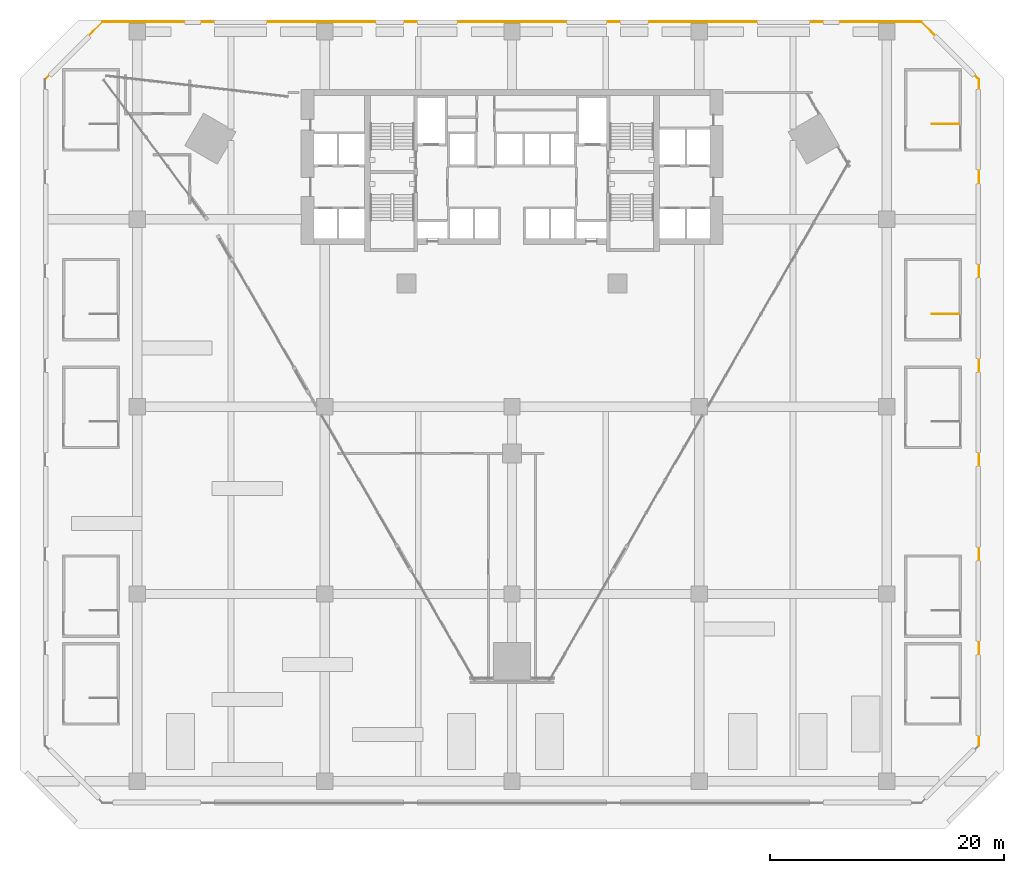
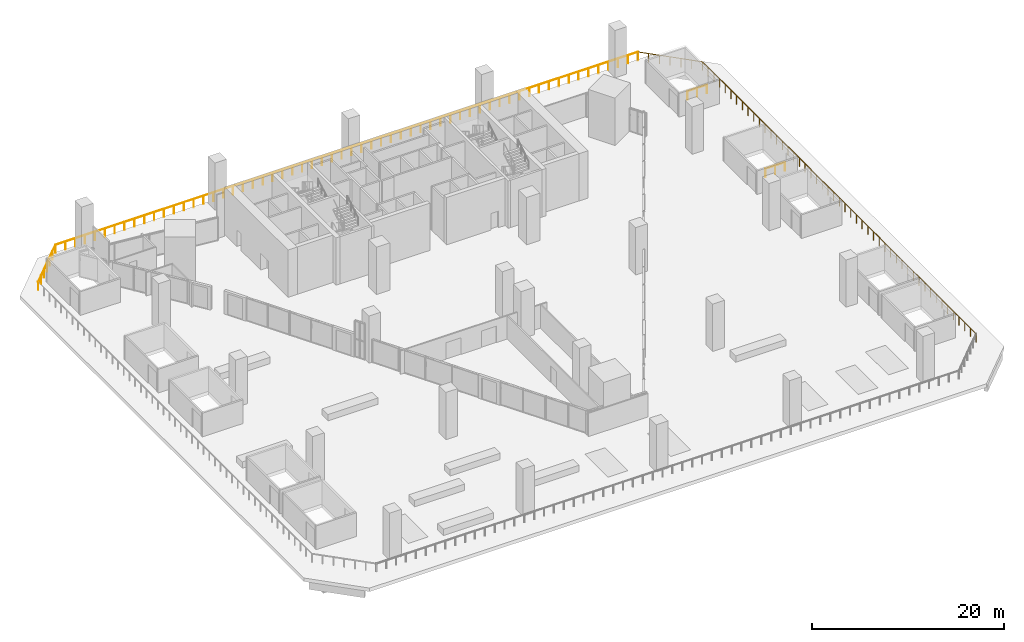
# One storey, part 25 of 25: 4 railings.
"""IFC4 building model written with IfcOpenShell, lengths in metres."""

from ifc_helpers import new_model, si_unit, direction, frame, origin, origin_2d, place, context, subcontext, project, spatial, circle, extrude, material, type_object, element, save


model = new_model("IFC4")

# Units and contexts
model_context = context("Model", 3, precision=1e-05, world=origin(), true_north=direction((0.0, 1.0)))
body_context = subcontext(model_context, "Body", "Model", "MODEL_VIEW")
ifc_project = project(units=[si_unit("LENGTHUNIT", "METRE"), si_unit("AREAUNIT", "SQUARE_METRE"), si_unit("VOLUMEUNIT", "CUBIC_METRE"), si_unit("PLANEANGLEUNIT", "RADIAN"), si_unit("MASSUNIT", "GRAM", prefix="KILO")], contexts=[model_context])

# Site, building, storey
site_placement = place(None, origin())
site = spatial("IfcSite", under=ifc_project, at=site_placement, CompositionType="ELEMENT")
building_placement = place(site_placement, origin())
building = spatial("IfcBuilding", under=site, at=building_placement, Name="Calabash Gate Tower", CompositionType="ELEMENT")
storey_placement = place(building_placement, frame((0.0, 0.0, 40.0)))
storey = spatial("IfcBuildingStorey", under=building, at=storey_placement, Name="L05", CompositionType="ELEMENT", Elevation=40.0)

# Railings
ifc_material_1 = material(Name="Stainless steel 316 rail and posts", Category="steel")
railing_type_1 = type_object("IfcRailingType", Name="Portal edge guard 1100", PredefinedType="GUARDRAIL", material=ifc_material_1)
railing_1_placement = place(storey_placement, frame((-39.85009765625, 19.93798828125, 0.0)))
element("IfcRailing", 1, at=railing_1_placement, inside=storey, type_object=railing_type_1, Name="GUARD L05 terrace edge 2", PredefinedType="GUARDRAIL", context=body_context, shape_type="SweptSolid", body=[
    extrude(circle(Radius=0.02392578125, at=origin_2d()), frame((0.0, 0.0, 1.076171875), z_axis=(0.707106781187, 0.707106781187, 0.0), x_axis=(-0.707106781187, 0.707106781187, 0.0)), (0.0, 0.0, 1.0), 6.94677734375),
    extrude(circle(Radius=0.02392578125, at=origin_2d()), frame((4.912109375, 4.912109375, 1.076171875), z_axis=(1.0, 0.0, 0.0), x_axis=(0.0, 1.0, 0.0)), (0.0, 0.0, 1.0), 69.8759765625),
    extrude(circle(Radius=0.02099609375, at=origin_2d()), origin(), (0.0, 0.0, 1.0), 1.052001953125),
    extrude(circle(Radius=0.02099609375, at=origin_2d()), frame((0.818603515625, 0.818603515625, 0.0)), (0.0, 0.0, 1.0), 1.052001953125),
    extrude(circle(Radius=0.02099609375, at=origin_2d()), frame((1.637451171875, 1.637451171875, 0.0)), (0.0, 0.0, 1.0), 1.052001953125),
    extrude(circle(Radius=0.02099609375, at=origin_2d()), frame((2.4560546875, 2.4560546875, 0.0)), (0.0, 0.0, 1.0), 1.052001953125),
    extrude(circle(Radius=0.02099609375, at=origin_2d()), frame((3.274658203125, 3.274658203125, 0.0)), (0.0, 0.0, 1.0), 1.052001953125),
    extrude(circle(Radius=0.02099609375, at=origin_2d()), frame((4.093505859375, 4.093505859375, 0.0)), (0.0, 0.0, 1.0), 1.052001953125),
    extrude(circle(Radius=0.02099609375, at=origin_2d()), frame((4.912109375, 4.912109375, 0.0)), (0.0, 0.0, 1.0), 1.052001953125),
    extrude(circle(Radius=0.02099609375, at=origin_2d()), frame((6.096435546875, 4.912109375, 0.0)), (0.0, 0.0, 1.0), 1.052001953125),
    extrude(circle(Radius=0.02099609375, at=origin_2d()), frame((7.28076171875, 4.912109375, 0.0)), (0.0, 0.0, 1.0), 1.052001953125),
    extrude(circle(Radius=0.02099609375, at=origin_2d()), frame((8.465087890625, 4.912109375, 0.0)), (0.0, 0.0, 1.0), 1.052001953125),
    extrude(circle(Radius=0.02099609375, at=origin_2d()), frame((9.6494140625, 4.912109375, 0.0)), (0.0, 0.0, 1.0), 1.052001953125),
    extrude(circle(Radius=0.02099609375, at=origin_2d()), frame((10.833740234375, 4.912109375, 0.0)), (0.0, 0.0, 1.0), 1.052001953125),
    extrude(circle(Radius=0.02099609375, at=origin_2d()), frame((12.01806640625, 4.912109375, 0.0)), (0.0, 0.0, 1.0), 1.052001953125),
    extrude(circle(Radius=0.02099609375, at=origin_2d()), frame((13.202392578125, 4.912109375, 0.0)), (0.0, 0.0, 1.0), 1.052001953125),
    extrude(circle(Radius=0.02099609375, at=origin_2d()), frame((14.38671875, 4.912109375, 0.0)), (0.0, 0.0, 1.0), 1.052001953125),
    extrude(circle(Radius=0.02099609375, at=origin_2d()), frame((15.571044921875, 4.912109375, 0.0)), (0.0, 0.0, 1.0), 1.052001953125),
    extrude(circle(Radius=0.02099609375, at=origin_2d()), frame((16.755615234375, 4.912109375, 0.0)), (0.0, 0.0, 1.0), 1.052001953125),
    extrude(circle(Radius=0.02099609375, at=origin_2d()), frame((17.93994140625, 4.912109375, 0.0)), (0.0, 0.0, 1.0), 1.052001953125),
    extrude(circle(Radius=0.02099609375, at=origin_2d()), frame((19.124267578125, 4.912109375, 0.0)), (0.0, 0.0, 1.0), 1.052001953125),
    extrude(circle(Radius=0.02099609375, at=origin_2d()), frame((20.30859375, 4.912109375, 0.0)), (0.0, 0.0, 1.0), 1.052001953125),
    extrude(circle(Radius=0.02099609375, at=origin_2d()), frame((21.492919921875, 4.912109375, 0.0)), (0.0, 0.0, 1.0), 1.052001953125),
    extrude(circle(Radius=0.02099609375, at=origin_2d()), frame((22.67724609375, 4.912109375, 0.0)), (0.0, 0.0, 1.0), 1.052001953125),
    extrude(circle(Radius=0.02099609375, at=origin_2d()), frame((23.861572265625, 4.912109375, 0.0)), (0.0, 0.0, 1.0), 1.052001953125),
    extrude(circle(Radius=0.02099609375, at=origin_2d()), frame((25.0458984375, 4.912109375, 0.0)), (0.0, 0.0, 1.0), 1.052001953125),
    extrude(circle(Radius=0.02099609375, at=origin_2d()), frame((26.230224609375, 4.912109375, 0.0)), (0.0, 0.0, 1.0), 1.052001953125),
    extrude(circle(Radius=0.02099609375, at=origin_2d()), frame((27.41455078125, 4.912109375, 0.0)), (0.0, 0.0, 1.0), 1.052001953125),
    extrude(circle(Radius=0.02099609375, at=origin_2d()), frame((28.598876953125, 4.912109375, 0.0)), (0.0, 0.0, 1.0), 1.052001953125),
    extrude(circle(Radius=0.02099609375, at=origin_2d()), frame((29.783203125, 4.912109375, 0.0)), (0.0, 0.0, 1.0), 1.052001953125),
    extrude(circle(Radius=0.02099609375, at=origin_2d()), frame((30.967529296875, 4.912109375, 0.0)), (0.0, 0.0, 1.0), 1.052001953125),
    extrude(circle(Radius=0.02099609375, at=origin_2d()), frame((32.15185546875, 4.912109375, 0.0)), (0.0, 0.0, 1.0), 1.052001953125),
    extrude(circle(Radius=0.02099609375, at=origin_2d()), frame((33.336181640625, 4.912109375, 0.0)), (0.0, 0.0, 1.0), 1.052001953125),
    extrude(circle(Radius=0.02099609375, at=origin_2d()), frame((34.5205078125, 4.912109375, 0.0)), (0.0, 0.0, 1.0), 1.052001953125),
    extrude(circle(Radius=0.02099609375, at=origin_2d()), frame((35.704833984375, 4.912109375, 0.0)), (0.0, 0.0, 1.0), 1.052001953125),
    extrude(circle(Radius=0.02099609375, at=origin_2d()), frame((36.88916015625, 4.912109375, 0.0)), (0.0, 0.0, 1.0), 1.052001953125),
    extrude(circle(Radius=0.02099609375, at=origin_2d()), frame((38.073486328125, 4.912109375, 0.0)), (0.0, 0.0, 1.0), 1.052001953125),
    extrude(circle(Radius=0.02099609375, at=origin_2d()), frame((39.2578125, 4.912109375, 0.0)), (0.0, 0.0, 1.0), 1.052001953125),
    extrude(circle(Radius=0.02099609375, at=origin_2d()), frame((40.4423828125, 4.912109375, 0.0)), (0.0, 0.0, 1.0), 1.052001953125),
    extrude(circle(Radius=0.02099609375, at=origin_2d()), frame((41.626708984375, 4.912109375, 0.0)), (0.0, 0.0, 1.0), 1.052001953125),
    extrude(circle(Radius=0.02099609375, at=origin_2d()), frame((42.81103515625, 4.912109375, 0.0)), (0.0, 0.0, 1.0), 1.052001953125),
    extrude(circle(Radius=0.02099609375, at=origin_2d()), frame((43.995361328125, 4.912109375, 0.0)), (0.0, 0.0, 1.0), 1.052001953125),
    extrude(circle(Radius=0.02099609375, at=origin_2d()), frame((45.1796875, 4.912109375, 0.0)), (0.0, 0.0, 1.0), 1.052001953125),
    extrude(circle(Radius=0.02099609375, at=origin_2d()), frame((46.364013671875, 4.912109375, 0.0)), (0.0, 0.0, 1.0), 1.052001953125),
    extrude(circle(Radius=0.02099609375, at=origin_2d()), frame((47.54833984375, 4.912109375, 0.0)), (0.0, 0.0, 1.0), 1.052001953125),
    extrude(circle(Radius=0.02099609375, at=origin_2d()), frame((48.732666015625, 4.912109375, 0.0)), (0.0, 0.0, 1.0), 1.052001953125),
    extrude(circle(Radius=0.02099609375, at=origin_2d()), frame((49.9169921875, 4.912109375, 0.0)), (0.0, 0.0, 1.0), 1.052001953125),
    extrude(circle(Radius=0.02099609375, at=origin_2d()), frame((51.101318359375, 4.912109375, 0.0)), (0.0, 0.0, 1.0), 1.052001953125),
    extrude(circle(Radius=0.02099609375, at=origin_2d()), frame((52.28564453125, 4.912109375, 0.0)), (0.0, 0.0, 1.0), 1.052001953125),
    extrude(circle(Radius=0.02099609375, at=origin_2d()), frame((53.469970703125, 4.912109375, 0.0)), (0.0, 0.0, 1.0), 1.052001953125),
    extrude(circle(Radius=0.02099609375, at=origin_2d()), frame((54.654296875, 4.912109375, 0.0)), (0.0, 0.0, 1.0), 1.052001953125),
    extrude(circle(Radius=0.02099609375, at=origin_2d()), frame((55.838623046875, 4.912109375, 0.0)), (0.0, 0.0, 1.0), 1.052001953125),
    extrude(circle(Radius=0.02099609375, at=origin_2d()), frame((57.02294921875, 4.912109375, 0.0)), (0.0, 0.0, 1.0), 1.052001953125),
    extrude(circle(Radius=0.02099609375, at=origin_2d()), frame((58.207275390625, 4.912109375, 0.0)), (0.0, 0.0, 1.0), 1.052001953125),
    extrude(circle(Radius=0.02099609375, at=origin_2d()), frame((59.3916015625, 4.912109375, 0.0)), (0.0, 0.0, 1.0), 1.052001953125),
    extrude(circle(Radius=0.02099609375, at=origin_2d()), frame((60.575927734375, 4.912109375, 0.0)), (0.0, 0.0, 1.0), 1.052001953125),
    extrude(circle(Radius=0.02099609375, at=origin_2d()), frame((61.76025390625, 4.912109375, 0.0)), (0.0, 0.0, 1.0), 1.052001953125),
    extrude(circle(Radius=0.02099609375, at=origin_2d()), frame((62.944580078125, 4.912109375, 0.0)), (0.0, 0.0, 1.0), 1.052001953125),
    extrude(circle(Radius=0.02099609375, at=origin_2d()), frame((64.129150390625, 4.912109375, 0.0)), (0.0, 0.0, 1.0), 1.052001953125),
    extrude(circle(Radius=0.02099609375, at=origin_2d()), frame((65.3134765625, 4.912109375, 0.0)), (0.0, 0.0, 1.0), 1.052001953125),
    extrude(circle(Radius=0.02099609375, at=origin_2d()), frame((66.497802734375, 4.912109375, 0.0)), (0.0, 0.0, 1.0), 1.052001953125),
    extrude(circle(Radius=0.02099609375, at=origin_2d()), frame((67.68212890625, 4.912109375, 0.0)), (0.0, 0.0, 1.0), 1.052001953125),
    extrude(circle(Radius=0.02099609375, at=origin_2d()), frame((68.866455078125, 4.912109375, 0.0)), (0.0, 0.0, 1.0), 1.052001953125),
    extrude(circle(Radius=0.02099609375, at=origin_2d()), frame((70.05078125, 4.912109375, 0.0)), (0.0, 0.0, 1.0), 1.052001953125),
    extrude(circle(Radius=0.02099609375, at=origin_2d()), frame((71.235107421875, 4.912109375, 0.0)), (0.0, 0.0, 1.0), 1.052001953125),
    extrude(circle(Radius=0.02099609375, at=origin_2d()), frame((72.41943359375, 4.912109375, 0.0)), (0.0, 0.0, 1.0), 1.052001953125),
    extrude(circle(Radius=0.02099609375, at=origin_2d()), frame((73.603759765625, 4.912109375, 0.0)), (0.0, 0.0, 1.0), 1.052001953125),
    extrude(circle(Radius=0.02099609375, at=origin_2d()), frame((74.7880859375, 4.912109375, 0.0)), (0.0, 0.0, 1.0), 1.052001953125),
])
railing_2_placement = place(storey_placement, frame((34.93798828125, 24.85009765625, 0.0)))
element("IfcRailing", 2, at=railing_2_placement, inside=storey, type_object=railing_type_1, Name="GUARD L05 terrace edge 3", PredefinedType="GUARDRAIL", context=body_context, shape_type="SweptSolid", body=[
    extrude(circle(Radius=0.02392578125, at=origin_2d()), frame((0.0, 0.0, 1.076171875), z_axis=(0.707106781187, -0.707106781187, 0.0), x_axis=(0.707106781187, 0.707106781187, 0.0)), (0.0, 0.0, 1.0), 6.94677734375),
    extrude(circle(Radius=0.02392578125, at=origin_2d()), frame((4.912109375, -4.912109375, 1.076171875), z_axis=(0.0, -1.0, 0.0), x_axis=(1.0, 0.0, 0.0)), (0.0, 0.0, 1.0), 56.8759765625),
    extrude(circle(Radius=0.02099609375, at=origin_2d()), origin(), (0.0, 0.0, 1.0), 1.052001953125),
    extrude(circle(Radius=0.02099609375, at=origin_2d()), frame((0.818603515625, -0.818603515625, 0.0)), (0.0, 0.0, 1.0), 1.052001953125),
    extrude(circle(Radius=0.02099609375, at=origin_2d()), frame((1.637451171875, -1.637451171875, 0.0)), (0.0, 0.0, 1.0), 1.052001953125),
    extrude(circle(Radius=0.02099609375, at=origin_2d()), frame((2.4560546875, -2.4560546875, 0.0)), (0.0, 0.0, 1.0), 1.052001953125),
    extrude(circle(Radius=0.02099609375, at=origin_2d()), frame((3.274658203125, -3.274658203125, 0.0)), (0.0, 0.0, 1.0), 1.052001953125),
    extrude(circle(Radius=0.02099609375, at=origin_2d()), frame((4.093505859375, -4.093505859375, 0.0)), (0.0, 0.0, 1.0), 1.052001953125),
    extrude(circle(Radius=0.02099609375, at=origin_2d()), frame((4.912109375, -4.912109375, 0.0)), (0.0, 0.0, 1.0), 1.052001953125),
    extrude(circle(Radius=0.02099609375, at=origin_2d()), frame((4.912109375, -6.096923828125, 0.0)), (0.0, 0.0, 1.0), 1.052001953125),
    extrude(circle(Radius=0.02099609375, at=origin_2d()), frame((4.912109375, -7.281982421875, 0.0)), (0.0, 0.0, 1.0), 1.052001953125),
    extrude(circle(Radius=0.02099609375, at=origin_2d()), frame((4.912109375, -8.466796875, 0.0)), (0.0, 0.0, 1.0), 1.052001953125),
    extrude(circle(Radius=0.02099609375, at=origin_2d()), frame((4.912109375, -9.65185546875, 0.0)), (0.0, 0.0, 1.0), 1.052001953125),
    extrude(circle(Radius=0.02099609375, at=origin_2d()), frame((4.912109375, -10.836669921875, 0.0)), (0.0, 0.0, 1.0), 1.052001953125),
    extrude(circle(Radius=0.02099609375, at=origin_2d()), frame((4.912109375, -12.021484375, 0.0)), (0.0, 0.0, 1.0), 1.052001953125),
    extrude(circle(Radius=0.02099609375, at=origin_2d()), frame((4.912109375, -13.20654296875, 0.0)), (0.0, 0.0, 1.0), 1.052001953125),
    extrude(circle(Radius=0.02099609375, at=origin_2d()), frame((4.912109375, -14.391357421875, 0.0)), (0.0, 0.0, 1.0), 1.052001953125),
    extrude(circle(Radius=0.02099609375, at=origin_2d()), frame((4.912109375, -15.576416015625, 0.0)), (0.0, 0.0, 1.0), 1.052001953125),
    extrude(circle(Radius=0.02099609375, at=origin_2d()), frame((4.912109375, -16.76123046875, 0.0)), (0.0, 0.0, 1.0), 1.052001953125),
    extrude(circle(Radius=0.02099609375, at=origin_2d()), frame((4.912109375, -17.9462890625, 0.0)), (0.0, 0.0, 1.0), 1.052001953125),
    extrude(circle(Radius=0.02099609375, at=origin_2d()), frame((4.912109375, -19.131103515625, 0.0)), (0.0, 0.0, 1.0), 1.052001953125),
    extrude(circle(Radius=0.02099609375, at=origin_2d()), frame((4.912109375, -20.31591796875, 0.0)), (0.0, 0.0, 1.0), 1.052001953125),
    extrude(circle(Radius=0.02099609375, at=origin_2d()), frame((4.912109375, -21.5009765625, 0.0)), (0.0, 0.0, 1.0), 1.052001953125),
    extrude(circle(Radius=0.02099609375, at=origin_2d()), frame((4.912109375, -22.685791015625, 0.0)), (0.0, 0.0, 1.0), 1.052001953125),
    extrude(circle(Radius=0.02099609375, at=origin_2d()), frame((4.912109375, -23.870849609375, 0.0)), (0.0, 0.0, 1.0), 1.052001953125),
    extrude(circle(Radius=0.02099609375, at=origin_2d()), frame((4.912109375, -25.0556640625, 0.0)), (0.0, 0.0, 1.0), 1.052001953125),
    extrude(circle(Radius=0.02099609375, at=origin_2d()), frame((4.912109375, -26.24072265625, 0.0)), (0.0, 0.0, 1.0), 1.052001953125),
    extrude(circle(Radius=0.02099609375, at=origin_2d()), frame((4.912109375, -27.425537109375, 0.0)), (0.0, 0.0, 1.0), 1.052001953125),
    extrude(circle(Radius=0.02099609375, at=origin_2d()), frame((4.912109375, -28.6103515625, 0.0)), (0.0, 0.0, 1.0), 1.052001953125),
    extrude(circle(Radius=0.02099609375, at=origin_2d()), frame((4.912109375, -29.79541015625, 0.0)), (0.0, 0.0, 1.0), 1.052001953125),
    extrude(circle(Radius=0.02099609375, at=origin_2d()), frame((4.912109375, -30.980224609375, 0.0)), (0.0, 0.0, 1.0), 1.052001953125),
    extrude(circle(Radius=0.02099609375, at=origin_2d()), frame((4.912109375, -32.165283203125, 0.0)), (0.0, 0.0, 1.0), 1.052001953125),
    extrude(circle(Radius=0.02099609375, at=origin_2d()), frame((4.912109375, -33.35009765625, 0.0)), (0.0, 0.0, 1.0), 1.052001953125),
    extrude(circle(Radius=0.02099609375, at=origin_2d()), frame((4.912109375, -34.534912109375, 0.0)), (0.0, 0.0, 1.0), 1.052001953125),
    extrude(circle(Radius=0.02099609375, at=origin_2d()), frame((4.912109375, -35.719970703125, 0.0)), (0.0, 0.0, 1.0), 1.052001953125),
    extrude(circle(Radius=0.02099609375, at=origin_2d()), frame((4.912109375, -36.90478515625, 0.0)), (0.0, 0.0, 1.0), 1.052001953125),
    extrude(circle(Radius=0.02099609375, at=origin_2d()), frame((4.912109375, -38.08984375, 0.0)), (0.0, 0.0, 1.0), 1.052001953125),
    extrude(circle(Radius=0.02099609375, at=origin_2d()), frame((4.912109375, -39.274658203125, 0.0)), (0.0, 0.0, 1.0), 1.052001953125),
    extrude(circle(Radius=0.02099609375, at=origin_2d()), frame((4.912109375, -40.45947265625, 0.0)), (0.0, 0.0, 1.0), 1.052001953125),
    extrude(circle(Radius=0.02099609375, at=origin_2d()), frame((4.912109375, -41.64453125, 0.0)), (0.0, 0.0, 1.0), 1.052001953125),
    extrude(circle(Radius=0.02099609375, at=origin_2d()), frame((4.912109375, -42.829345703125, 0.0)), (0.0, 0.0, 1.0), 1.052001953125),
    extrude(circle(Radius=0.02099609375, at=origin_2d()), frame((4.912109375, -44.014404296875, 0.0)), (0.0, 0.0, 1.0), 1.052001953125),
    extrude(circle(Radius=0.02099609375, at=origin_2d()), frame((4.912109375, -45.19921875, 0.0)), (0.0, 0.0, 1.0), 1.052001953125),
    extrude(circle(Radius=0.02099609375, at=origin_2d()), frame((4.912109375, -46.38427734375, 0.0)), (0.0, 0.0, 1.0), 1.052001953125),
    extrude(circle(Radius=0.02099609375, at=origin_2d()), frame((4.912109375, -47.569091796875, 0.0)), (0.0, 0.0, 1.0), 1.052001953125),
    extrude(circle(Radius=0.02099609375, at=origin_2d()), frame((4.912109375, -48.75390625, 0.0)), (0.0, 0.0, 1.0), 1.052001953125),
    extrude(circle(Radius=0.02099609375, at=origin_2d()), frame((4.912109375, -49.93896484375, 0.0)), (0.0, 0.0, 1.0), 1.052001953125),
    extrude(circle(Radius=0.02099609375, at=origin_2d()), frame((4.912109375, -51.123779296875, 0.0)), (0.0, 0.0, 1.0), 1.052001953125),
    extrude(circle(Radius=0.02099609375, at=origin_2d()), frame((4.912109375, -52.308837890625, 0.0)), (0.0, 0.0, 1.0), 1.052001953125),
    extrude(circle(Radius=0.02099609375, at=origin_2d()), frame((4.912109375, -53.49365234375, 0.0)), (0.0, 0.0, 1.0), 1.052001953125),
    extrude(circle(Radius=0.02099609375, at=origin_2d()), frame((4.912109375, -54.6787109375, 0.0)), (0.0, 0.0, 1.0), 1.052001953125),
    extrude(circle(Radius=0.02099609375, at=origin_2d()), frame((4.912109375, -55.863525390625, 0.0)), (0.0, 0.0, 1.0), 1.052001953125),
    extrude(circle(Radius=0.02099609375, at=origin_2d()), frame((4.912109375, -57.04833984375, 0.0)), (0.0, 0.0, 1.0), 1.052001953125),
    extrude(circle(Radius=0.02099609375, at=origin_2d()), frame((4.912109375, -58.2333984375, 0.0)), (0.0, 0.0, 1.0), 1.052001953125),
    extrude(circle(Radius=0.02099609375, at=origin_2d()), frame((4.912109375, -59.418212890625, 0.0)), (0.0, 0.0, 1.0), 1.052001953125),
    extrude(circle(Radius=0.02099609375, at=origin_2d()), frame((4.912109375, -60.603271484375, 0.0)), (0.0, 0.0, 1.0), 1.052001953125),
    extrude(circle(Radius=0.02099609375, at=origin_2d()), frame((4.912109375, -61.7880859375, 0.0)), (0.0, 0.0, 1.0), 1.052001953125),
])
ifc_material_2 = material(Name="Black powder-coated steel balusters", Category="steel")
railing_type_2 = type_object("IfcRailingType", Name="Stair guard RL1100", PredefinedType="GUARDRAIL", material=ifc_material_2)
for number, where, name in (
    (3, (38.169921875, -0.090087890625, 0.0), "L05 PS9 top well guard 1"),
    (4, (38.169921875, 16.110107421875, 0.0), "L05 PS10 top well guard 1"),
):
    element("IfcRailing", number, at=place(storey_placement, frame(where)), inside=storey, type_object=railing_type_2, Name=name, PredefinedType="GUARDRAIL", context=body_context, shape_type="SweptSolid", body=[
        extrude(circle(Radius=0.02392578125, at=origin_2d()), frame((0.0, 0.0, 1.076171875), z_axis=(-1.0, 0.0, 0.0), x_axis=(0.0, -1.0, 0.0)), (0.0, 0.0, 1.0), 2.309814453125),
        extrude(circle(Radius=0.02099609375, at=origin_2d()), origin(), (0.0, 0.0, 1.0), 1.052001953125),
        extrude(circle(Radius=0.02099609375, at=origin_2d()), frame((-1.15478515625, 0.0, 0.0)), (0.0, 0.0, 1.0), 1.052001953125),
        extrude(circle(Radius=0.02099609375, at=origin_2d()), frame((-2.309814453125, 0.0, 0.0)), (0.0, 0.0, 1.0), 1.052001953125),
    ])

save(model, "model.ifc")
